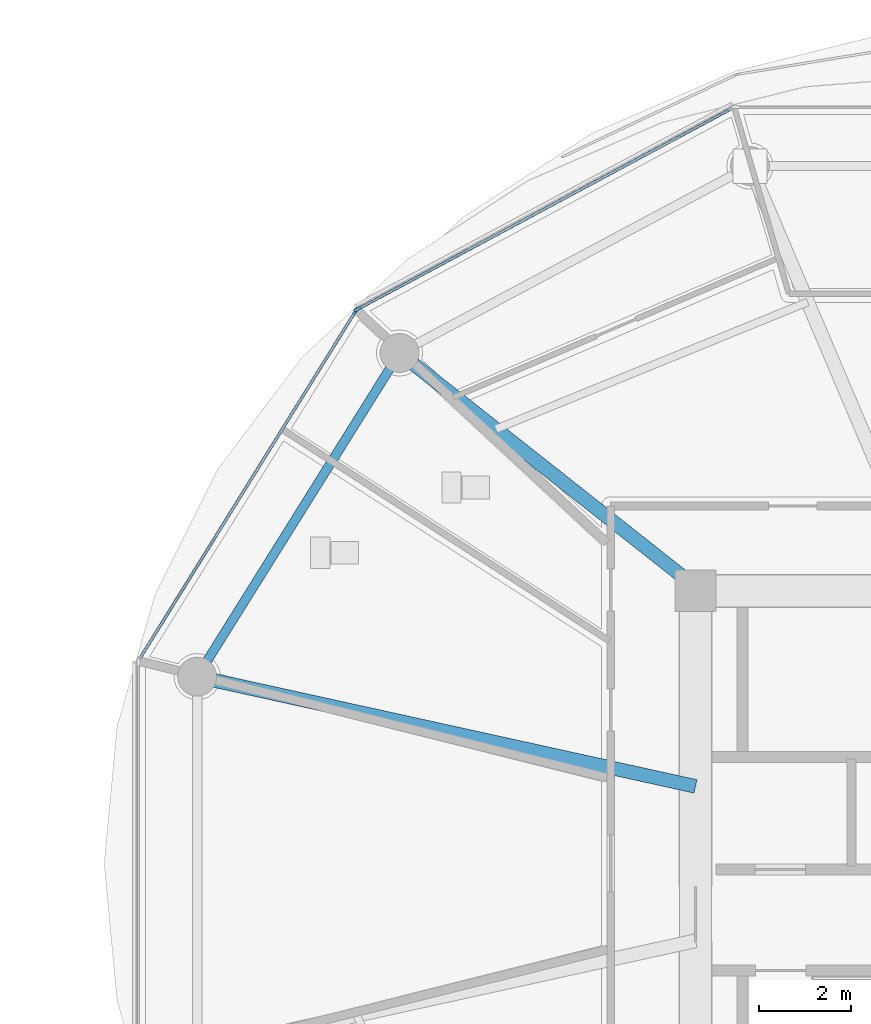
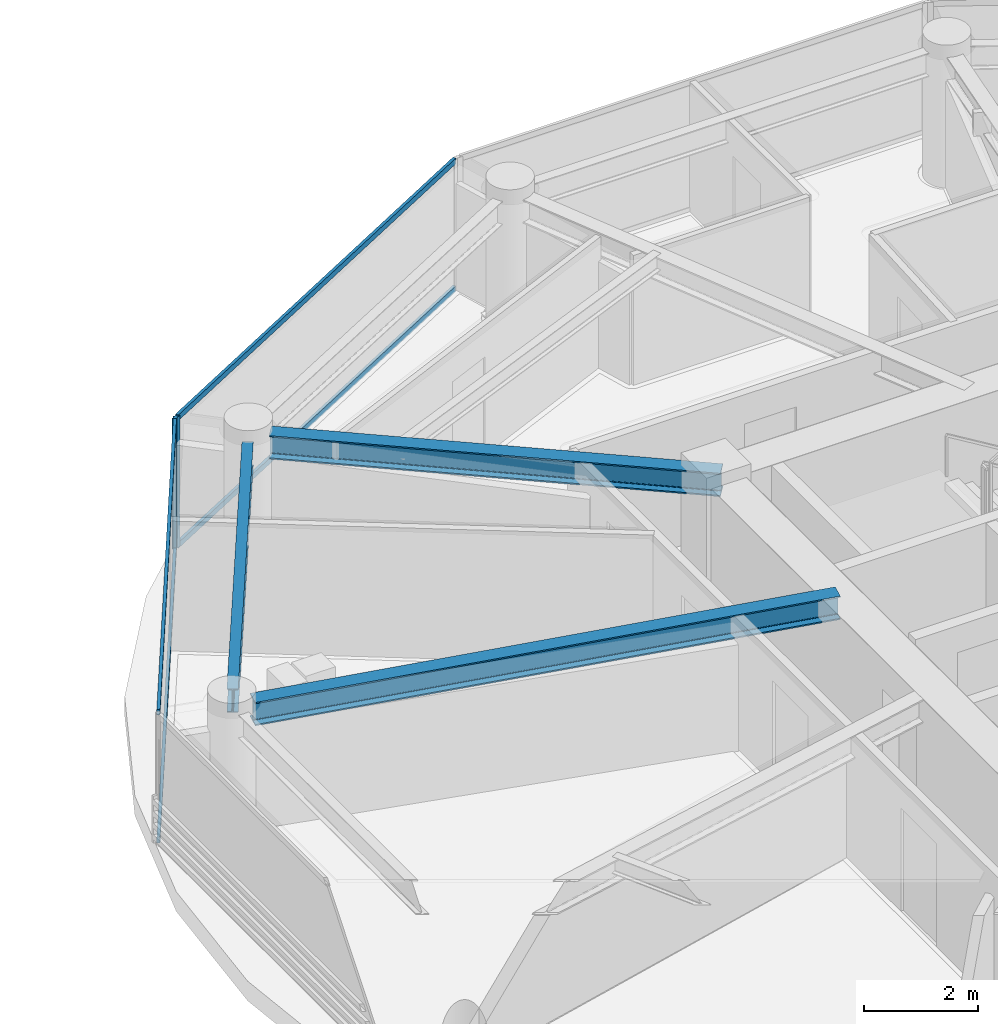
# One storey, part 8 of 32: 6 members, 3 beams, 2 elements without a shape of their own.
"""IFC4 building model written with IfcOpenShell, lengths in metres."""

import ifcopenshell
import ifcopenshell.guid

model = None  # the IFC model being written
_history = None  # IfcOwnerHistory: only IFC2X3 demands one
_inside = {}  # id of a spatial element -> (the spatial element, [elements in it])
_under = {}  # id of a project, library or spatial element -> (it, [spatial elements below it])
_declared = {}  # id of a project -> (the project, [libraries it declares])
_typed = {}  # id of a type object -> (the type object, [elements of that type])
_made_of = {}  # id of a material, layer set ... -> (it, [elements and type objects made of it])


def new_model(schema):
    """Start an empty IFC model of exactly this schema.

    Asked for "IFC4X3", IfcOpenShell would pick the latest addendum, in which some entities
    have other attributes; the version numbers below select the first issue.
    IFC2X3 requires an IfcOwnerHistory on every rooted entity: one is made here for all.
    """
    global model, _history
    if schema == "IFC4X3":
        model = ifcopenshell.file(schema_version=(4, 3, 0, 0))
    else:
        model = ifcopenshell.file(schema=schema)
    _inside.clear()
    _under.clear()
    _declared.clear()
    _typed.clear()
    _made_of.clear()
    _history = None
    if model.schema == "IFC2X3":
        org = make("IfcOrganization", Name="unknown")
        user = make(
            "IfcPersonAndOrganization",
            ThePerson=make("IfcPerson", FamilyName="unknown"),
            TheOrganization=org,
        )
        app = make(
            "IfcApplication",
            ApplicationDeveloper=org,
            Version="unknown",
            ApplicationFullName="unknown",
            ApplicationIdentifier="unknown",
        )
        _history = make(
            "IfcOwnerHistory",
            OwningUser=user,
            OwningApplication=app,
            ChangeAction="ADDED",
            CreationDate=0,
        )
    return model


def make(cls, **values):
    """One entity of the class cls with the attributes given. An attribute that is None is left unset."""
    return model.create_entity(
        cls, **{name: value for name, value in values.items() if value is not None}
    )


def rooted(cls, **values):
    """An entity with a GlobalId (a new one), such as an element, a storey or a relation."""
    return make(cls, GlobalId=ifcopenshell.guid.new(), OwnerHistory=_history, **values)


def si_unit(unit_type, name, prefix=None):
    """IfcSIUnit, for example si_unit("LENGTHUNIT", "METRE", prefix="MILLI")."""
    return make("IfcSIUnit", UnitType=unit_type, Prefix=prefix, Name=name)


def assignment(units):
    """IfcUnitAssignment: the units of a project."""
    return None if units is None else make("IfcUnitAssignment", Units=units)


def point(xyz):
    """IfcCartesianPoint."""
    return None if xyz is None else make("IfcCartesianPoint", Coordinates=xyz)


def direction(xyz):
    """IfcDirection."""
    return None if xyz is None else make("IfcDirection", DirectionRatios=xyz)


def frame(location, z_axis=None, x_axis=None):
    """IfcAxis2Placement3D, a coordinate frame: its origin and axes. An axis left out is left unset."""
    return make(
        "IfcAxis2Placement3D",
        Location=point(location),
        Axis=direction(z_axis),
        RefDirection=direction(x_axis),
    )


def frame_2d(location, x_axis=None):
    """IfcAxis2Placement2D, a coordinate frame in the plane: its origin and x axis."""
    return make(
        "IfcAxis2Placement2D", Location=point(location), RefDirection=direction(x_axis)
    )


def origin():
    """The frame at (0, 0, 0) with its axes left unset."""
    return frame((0.0, 0.0, 0.0))


def origin_2d():
    """The frame at (0, 0) in the plane with its x axis left unset."""
    return frame_2d((0.0, 0.0))


def place(relative_to, where):
    """IfcLocalPlacement: puts the frame where relative to a parent placement (None: the world)."""
    return make(
        "IfcLocalPlacement", PlacementRelTo=relative_to, RelativePlacement=where
    )


def context(
    kind, dimensions, precision=None, world=None, true_north=None, identifier=None
):
    """IfcGeometricRepresentationContext, for example the 3D "Model" context."""
    return make(
        "IfcGeometricRepresentationContext",
        ContextIdentifier=identifier,
        ContextType=kind,
        CoordinateSpaceDimension=dimensions,
        Precision=precision,
        WorldCoordinateSystem=world,
        TrueNorth=true_north,
    )


def subcontext(parent, identifier, kind, view, scale=None):
    """IfcGeometricRepresentationSubContext, for example "Body" below "Model"."""
    return make(
        "IfcGeometricRepresentationSubContext",
        ContextIdentifier=identifier,
        ContextType=kind,
        ParentContext=parent,
        TargetScale=scale,
        TargetView=view,
    )


def project(units=None, contexts=None):
    """IfcProject with its units and contexts."""
    return rooted(
        "IfcProject",
        Name="project",
        RepresentationContexts=contexts,
        UnitsInContext=assignment(units),
    )


def spatial(cls, under=None, at=None, **own):
    """A site, building, storey or space (cls), placed at a placement, below another one or the project."""
    s = rooted(cls, ObjectPlacement=at, **own)
    if under is not None:
        _under.setdefault(under.id(), (under, []))[1].append(s)
    return s


def profile(cls, at=None, kind="AREA", **sizes):
    """A parametric profile (cls). Its sizes go by their IFC names, for example OverallWidth=200.0."""
    return make(cls, ProfileType=kind, Position=at, **sizes)


def rectangle(**sizes):
    """IfcRectangleProfileDef."""
    return profile("IfcRectangleProfileDef", **sizes)


def i_section(**sizes):
    """IfcIShapeProfileDef."""
    return profile("IfcIShapeProfileDef", **sizes)


def extrude(swept, where, along, depth):
    """IfcExtrudedAreaSolid: the profile swept, set in the frame where, extruded along a direction by depth."""
    return make(
        "IfcExtrudedAreaSolid",
        SweptArea=swept,
        Position=where,
        ExtrudedDirection=direction(along),
        Depth=depth,
    )


def shape(context_of_items, identifier, shape_type, items):
    """IfcShapeRepresentation: the items that make up one representation, for example the "Body"."""
    return make(
        "IfcShapeRepresentation",
        ContextOfItems=context_of_items,
        RepresentationIdentifier=identifier,
        RepresentationType=shape_type,
        Items=items,
    )


def source(mapping_origin, context_of_items, identifier, shape_type, items):
    """IfcRepresentationMap: a shape defined once, which mapped items show again and again."""
    return make(
        "IfcRepresentationMap",
        MappingOrigin=mapping_origin,
        MappedRepresentation=shape(context_of_items, identifier, shape_type, items),
    )


def transform(
    local_origin,
    x_axis=None,
    y_axis=None,
    z_axis=None,
    scale=None,
    scale2=None,
    scale3=None,
    uniform=True,
):
    """IfcCartesianTransformationOperator3D, or its non-uniform kind. x_axis, y_axis, z_axis: its Axis1, 2, 3."""
    if uniform:
        return make(
            "IfcCartesianTransformationOperator3D",
            Axis1=direction(x_axis),
            Axis2=direction(y_axis),
            LocalOrigin=point(local_origin),
            Scale=scale,
            Axis3=direction(z_axis),
        )
    return make(
        "IfcCartesianTransformationOperator3DnonUniform",
        Axis1=direction(x_axis),
        Axis2=direction(y_axis),
        LocalOrigin=point(local_origin),
        Scale=scale,
        Axis3=direction(z_axis),
        Scale2=scale2,
        Scale3=scale3,
    )


def mapped(mapping_source, mapping_target):
    """IfcMappedItem: shows the shape of a source again, moved by a transform."""
    return make(
        "IfcMappedItem", MappingSource=mapping_source, MappingTarget=mapping_target
    )


def material(Name=None, Category=None):
    """IfcMaterial."""
    return make("IfcMaterial", Name=Name, Category=Category)


def layer(
    of_material, thickness, ventilated=None, Name=None, Category=None, Priority=None
):
    """IfcMaterialLayer: one layer of a wall or slab, of a material (None: an air gap)."""
    return make(
        "IfcMaterialLayer",
        Material=of_material,
        LayerThickness=thickness,
        IsVentilated=ventilated,
        Name=Name,
        Category=Category,
        Priority=Priority,
    )


def layer_set(layers, Name=None):
    """IfcMaterialLayerSet."""
    return make("IfcMaterialLayerSet", MaterialLayers=layers, LayerSetName=Name)


def material_profile(
    of_material, cross_section, Name=None, Category=None, Priority=None
):
    """IfcMaterialProfile: a cross section and its material."""
    return make(
        "IfcMaterialProfile",
        Name=Name,
        Material=of_material,
        Profile=cross_section,
        Priority=Priority,
        Category=Category,
    )


def profile_set(profiles, Name=None, composite=None):
    """IfcMaterialProfileSet."""
    return make(
        "IfcMaterialProfileSet",
        Name=Name,
        MaterialProfiles=profiles,
        CompositeProfile=composite,
    )


def made_of(thing, what):
    """Note that an element or type object is made of a material, layer set ...; save() writes the relation."""
    if what is not None:
        _made_of.setdefault(what.id(), (what, []))[1].append(thing)
    return thing


def type_object(cls, material=None, **own):
    """A type object (cls), such as IfcWallType, which elements share."""
    return made_of(rooted(cls, **own), material)


def type_shapes(of_type, sources):
    """Give a type object the sources (RepresentationMaps) that its elements show as mapped items."""
    of_type.RepresentationMaps = sources


def element(
    cls,
    number,
    at=None,
    inside=None,
    cuts=None,
    type_object=None,
    material=None,
    context=None,
    identifier="Body",
    shape_type=None,
    held_by="IfcProductDefinitionShape",
    body=None,
    shapes=None,
    **own,
):
    """One element of the class cls, such as IfcWall. Its Tag is "e" and its number.

    at: its placement. inside: the storey or other place that contains it. cuts: it is an
    opening in that element (IfcRelVoidsElement). A single representation is given by context,
    identifier, shape_type and body (its items); several are given by shapes. held_by: the class
    of the entity that holds the representations. save() writes the other relations.
    """
    e = rooted(cls, Tag="e%d" % number, ObjectPlacement=at, **own)
    if body is not None:
        shapes = [shape(context, identifier, shape_type, body)]
    if shapes is not None:
        e.Representation = make(held_by, Representations=shapes)
    if inside is not None:
        _inside.setdefault(inside.id(), (inside, []))[1].append(e)
    if cuts is not None:
        rooted(
            "IfcRelVoidsElement", RelatingBuildingElement=cuts, RelatedOpeningElement=e
        )
    if type_object is not None:
        _typed.setdefault(type_object.id(), (type_object, []))[1].append(e)
    return made_of(e, material)


def aggregate(whole, parts):
    """IfcRelAggregates: a whole, such as a stair, and the parts it consists of."""
    return rooted("IfcRelAggregates", RelatingObject=whole, RelatedObjects=parts)


def save(model, path):
    """Write the relations noted so far, then the file.

    IfcRelAggregates (storeys below a building ...), IfcRelContainedInSpatialStructure (elements
    in a storey), IfcRelDefinesByType, IfcRelAssociatesMaterial and IfcRelDeclares: one each for
    every whole, place, type object, material and project.
    """
    for whole, parts in _under.values():
        aggregate(whole, parts)
    for where, things in _inside.values():
        rooted(
            "IfcRelContainedInSpatialStructure",
            RelatedElements=things,
            RelatingStructure=where,
        )
    for kind, things in _typed.values():
        rooted("IfcRelDefinesByType", RelatedObjects=things, RelatingType=kind)
    for what, things in _made_of.values():
        rooted("IfcRelAssociatesMaterial", RelatedObjects=things, RelatingMaterial=what)
    for by, libraries in _declared.values():
        rooted("IfcRelDeclares", RelatingContext=by, RelatedDefinitions=libraries)
    model.write(path)


model = new_model("IFC4")

# Units and contexts
model_context = context("Model", 3, precision=1e-05, world=origin(), true_north=direction((0.0, 1.0)))
body_context = subcontext(model_context, "Body", "Model", "MODEL_VIEW")
ifc_project = project(units=[si_unit("LENGTHUNIT", "METRE"), si_unit("AREAUNIT", "SQUARE_METRE"), si_unit("VOLUMEUNIT", "CUBIC_METRE"), si_unit("PLANEANGLEUNIT", "RADIAN"), si_unit("MASSUNIT", "GRAM", prefix="KILO")], contexts=[model_context])

# Site, building, storey
site_placement = place(None, origin())
site = spatial("IfcSite", under=ifc_project, at=site_placement, CompositionType="ELEMENT")
building_placement = place(site_placement, origin())
building = spatial("IfcBuilding", under=site, at=building_placement, Name="Norrkilde Senior Care Towers", CompositionType="ELEMENT")
storey_placement = place(building_placement, frame((0.0, 0.0, 77.949951171875)))
storey = spatial("IfcBuildingStorey", under=building, at=storey_placement, Name="L23", CompositionType="ELEMENT", Elevation=77.949951171875)

# Beams
ifc_material_1 = material(Name="Steel S355", Category="steel")
ifc_material_profile_1 = material_profile(ifc_material_1, i_section(OverallWidth=0.199951171875, OverallDepth=0.5, WebThickness=0.01025390625, FlangeThickness=0.01611328125, FilletRadius=0.02099609375, at=origin_2d()), Name="IPE 500")
ifc_profile_set_1 = profile_set([ifc_material_profile_1], Name="Steel S355")
beam_type_1 = type_object("IfcBeamType", Name="Perimeter Ring Spandrel Z2 IPE500", PredefinedType="SPANDREL", material=ifc_profile_set_1)
shared_shape_1 = source(origin(), body_context, "Body", "SweptSolid", [
    extrude(i_section(OverallWidth=0.199951171875, OverallDepth=0.5, WebThickness=0.01025390625, FlangeThickness=0.01611328125, FilletRadius=0.02099609375, at=origin_2d()), origin(), (0.0, 0.0, 1.0), 7.55615234375),
])
type_shapes(beam_type_1, [shared_shape_1])
beam_1_placement = place(storey_placement, frame((13.689697265625, 10.810546875, 2.5400390625), z_axis=(-0.529981514254, -0.848009194849, 0.0), x_axis=(0.848009194849, -0.529981514254, 0.0)))
element("IfcBeam", 1, at=beam_1_placement, inside=storey, type_object=beam_type_1, Name="L23 Drum E Perimeter Spandrel 05", PredefinedType="SPANDREL", context=body_context, shape_type="MappedRepresentation", body=[
    mapped(shared_shape_1, transform((0.0, 0.0, 0.0), x_axis=(1.0, 0.0, 0.0), y_axis=(0.0, 1.0, 0.0), z_axis=(0.0, 0.0, 1.0), scale=1.0)),
])
ifc_material_profile_2 = material_profile(ifc_material_1, i_section(OverallWidth=0.300048828125, OverallDepth=0.5, WebThickness=0.014404296875, FlangeThickness=0.028076171875, FilletRadius=0.027099609375, at=origin_2d()), Name="HEB 500")
ifc_profile_set_2 = profile_set([ifc_material_profile_2], Name="Steel S355")
beam_type_2 = type_object("IfcBeamType", Name="Radial Floor Beam Z2 HEB500", PredefinedType="BEAM", material=ifc_profile_set_2)
shared_shape_2 = source(origin(), body_context, "Body", "SweptSolid", [
    extrude(i_section(OverallWidth=0.300048828125, OverallDepth=0.5, WebThickness=0.014404296875, FlangeThickness=0.028076171875, FilletRadius=0.027099609375, at=origin_2d()), origin(), (0.0, 0.0, 1.0), 10.744384765625),
])
beam_2_placement = place(storey_placement, frame((20.35009765625, 1.683837890625, 2.5400390625), z_axis=(-0.976618711422, 0.214978818724, 0.0), x_axis=(-0.214978818724, -0.976618711422, 0.0)))
element("IfcBeam", 2, at=beam_2_placement, inside=storey, type_object=beam_type_2, Name="L23 Drum E Radial Floor Beam 06", PredefinedType="BEAM", context=body_context, shape_type="MappedRepresentation", body=[
    mapped(shared_shape_2, transform((0.0, 0.0, 0.0), x_axis=(1.0, 0.0, 0.0), y_axis=(0.0, 1.0, 0.0), z_axis=(0.0, 0.0, 1.0), scale=1.0)),
])
shared_shape_3 = source(origin(), body_context, "Body", "SweptSolid", [
    extrude(i_section(OverallWidth=0.300048828125, OverallDepth=0.5, WebThickness=0.014404296875, FlangeThickness=0.028076171875, FilletRadius=0.027099609375, at=origin_2d()), origin(), (0.0, 0.0, 1.0), 7.985595703125),
])
type_shapes(beam_type_2, [shared_shape_2, shared_shape_3])
beam_3_placement = place(storey_placement, frame((20.463623046875, 5.949951171875, 2.5400390625), z_axis=(-0.784858505144, 0.619675017169, 0.0), x_axis=(-0.619675017169, -0.784858505144, 0.0)))
element("IfcBeam", 3, at=beam_3_placement, inside=storey, type_object=beam_type_2, Name="L23 Drum E Radial Floor Beam 05", PredefinedType="BEAM", context=body_context, shape_type="MappedRepresentation", body=[
    mapped(shared_shape_3, transform((0.0, 0.0, 0.0), x_axis=(1.0, 0.0, 0.0), y_axis=(0.0, 1.0, 0.0), z_axis=(0.0, 0.0, 1.0), scale=1.0)),
])

# Curtain wall, member
ifc_material_2 = material(Name="Triple Low-E Insulated Glazing", Category="glass")
ifc_layer = layer(ifc_material_2, 0.195068359375)
ifc_layer_set = layer_set([ifc_layer], Name="Triple Low-E Insulated Glazing")
curtain_wall_type = type_object("IfcCurtainWallType", Name="CW3 Zone 2 Assisted Living Curtain Wall", PredefinedType="NOTDEFINED", material=ifc_layer_set)
curtain_wall_1_placement = place(storey_placement, origin())
curtain_wall_1 = element("IfcCurtainWall", 4, at=curtain_wall_1_placement, inside=storey, type_object=curtain_wall_type, Name="L23 Drum E Curtain Wall 03", PredefinedType="NOTDEFINED")
ifc_material_3 = material(Name="Anodised Aluminium", Category="aluminium")
ifc_material_profile_3 = material_profile(ifc_material_3, rectangle(XDim=0.06494140625, YDim=0.159912109375, at=origin_2d()), Name="ALU MULL 65x160")
ifc_profile_set_3 = profile_set([ifc_material_profile_3], Name="Anodised Aluminium")
member_type_1 = type_object("IfcMemberType", Name="Curtain Wall Mullion Z1-Z2 65x160", PredefinedType="MULLION", material=ifc_profile_set_3)
shared_shape_4 = source(origin(), body_context, "Body", "SweptSolid", [
    extrude(rectangle(XDim=0.06494140625, YDim=0.159912109375, at=origin_2d()), origin(), (0.0, 0.0, 1.0), 2.7900390625),
])
type_shapes(member_type_1, [shared_shape_4])
member_1_placement = place(storey_placement, frame((12.98193359375, 12.0927734375, 0.0), z_axis=(0.0, 0.0, 1.0), x_axis=(-0.472769402511, 0.881186184668, 0.0)))
member_1 = element("IfcMember", 5, at=member_1_placement, type_object=member_type_1, Name="CW-3 mullion 1", PredefinedType="MULLION", context=body_context, shape_type="MappedRepresentation", body=[
    mapped(shared_shape_4, transform((0.0, 0.0, 0.0), x_axis=(1.0, 0.0, 0.0), y_axis=(0.0, 1.0, 0.0), z_axis=(0.0, 0.0, 1.0), scale=1.0)),
])

# Curtain wall, members
curtain_wall_2_placement = place(storey_placement, origin())
curtain_wall_2 = element("IfcCurtainWall", 6, at=curtain_wall_2_placement, inside=storey, type_object=curtain_wall_type, Name="L23 Drum E Curtain Wall 04", PredefinedType="NOTDEFINED")
member_2_placement = place(storey_placement, frame((12.936279296875, 12.0498046875, 0.0), z_axis=(0.0, 0.0, 1.0), x_axis=(-0.849410171862, 0.527733228002, 0.0)))
member_2 = element("IfcMember", 7, at=member_2_placement, type_object=member_type_1, Name="CW-3 mullion 2", PredefinedType="MULLION", context=body_context, shape_type="MappedRepresentation", body=[
    mapped(shared_shape_4, transform((0.0, 0.0, 0.0), x_axis=(1.0, 0.0, 0.0), y_axis=(0.0, 1.0, 0.0), z_axis=(0.0, 0.0, 1.0), scale=1.0)),
])
ifc_material_profile_4 = material_profile(ifc_material_3, rectangle(XDim=0.06005859375, YDim=0.1201171875, at=origin_2d()), Name="ALU TRAN 60x120")
ifc_profile_set_4 = profile_set([ifc_material_profile_4], Name="Anodised Aluminium")
member_type_2 = type_object("IfcMemberType", Name="Curtain Wall Transom Typical 60x120", PredefinedType="USERDEFINED", material=ifc_profile_set_4)
shared_shape_5 = source(origin(), body_context, "Body", "SweptSolid", [
    extrude(rectangle(XDim=0.06005859375, YDim=0.1201171875, at=origin_2d()), origin(), (0.0, 0.0, 1.0), 8.88427734375),
])
member_3_placement = place(storey_placement, frame((8.23046875, 4.475830078125, 0.030029296875), z_axis=(0.527749293309, 0.849400190377, 0.0), x_axis=(-0.849400190377, 0.527749293309, 0.0)))
member_3 = element("IfcMember", 8, at=member_3_placement, type_object=member_type_2, Name="CW-3 transom 1.1", ObjectType="TRANSOM", PredefinedType="USERDEFINED", context=body_context, shape_type="MappedRepresentation", body=[
    mapped(shared_shape_5, transform((0.0, 0.0, 0.0), x_axis=(1.0, 0.0, 0.0), y_axis=(0.0, 1.0, 0.0), z_axis=(0.0, 0.0, 1.0), scale=1.0)),
])
member_4_placement = place(storey_placement, frame((8.23046875, 4.475830078125, 2.760009765625), z_axis=(0.527749293309, 0.849400190377, 0.0), x_axis=(-0.849400190377, 0.527749293309, 0.0)))
member_4 = element("IfcMember", 9, at=member_4_placement, type_object=member_type_2, Name="CW-3 transom 1.2", ObjectType="TRANSOM", PredefinedType="USERDEFINED", context=body_context, shape_type="MappedRepresentation", body=[
    mapped(shared_shape_5, transform((0.0, 0.0, 0.0), x_axis=(1.0, 0.0, 0.0), y_axis=(0.0, 1.0, 0.0), z_axis=(0.0, 0.0, 1.0), scale=1.0)),
])
aggregate(curtain_wall_2, [member_2, member_3, member_4])

# Member
shared_shape_6 = source(origin(), body_context, "Body", "SweptSolid", [
    extrude(rectangle(XDim=0.06005859375, YDim=0.1201171875, at=origin_2d()), origin(), (0.0, 0.0, 1.0), 9.220458984375),
])
type_shapes(member_type_2, [shared_shape_5, shared_shape_6])
member_5_placement = place(storey_placement, frame((13.0107421875, 12.108154296875, 0.030029296875), z_axis=(0.881188517866, 0.472765053681, 0.0), x_axis=(-0.472765053681, 0.881188517866, 0.0)))
member_5 = element("IfcMember", 10, at=member_5_placement, type_object=member_type_2, Name="CW-3 transom 1.1", ObjectType="TRANSOM", PredefinedType="USERDEFINED", context=body_context, shape_type="MappedRepresentation", body=[
    mapped(shared_shape_6, transform((0.0, 0.0, 0.0), x_axis=(1.0, 0.0, 0.0), y_axis=(0.0, 1.0, 0.0), z_axis=(0.0, 0.0, 1.0), scale=1.0)),
])

member_6_placement = place(storey_placement, frame((13.0107421875, 12.108154296875, 2.760009765625), z_axis=(0.881188517866, 0.472765053681, 0.0), x_axis=(-0.472765053681, 0.881188517866, 0.0)))
member_6 = element("IfcMember", 11, at=member_6_placement, type_object=member_type_2, Name="CW-3 transom 1.2", ObjectType="TRANSOM", PredefinedType="USERDEFINED", context=body_context, shape_type="MappedRepresentation", body=[
    mapped(shared_shape_6, transform((0.0, 0.0, 0.0), x_axis=(1.0, 0.0, 0.0), y_axis=(0.0, 1.0, 0.0), z_axis=(0.0, 0.0, 1.0), scale=1.0)),
])

aggregate(curtain_wall_1, [member_1, member_5, member_6])

save(model, "model.ifc")
